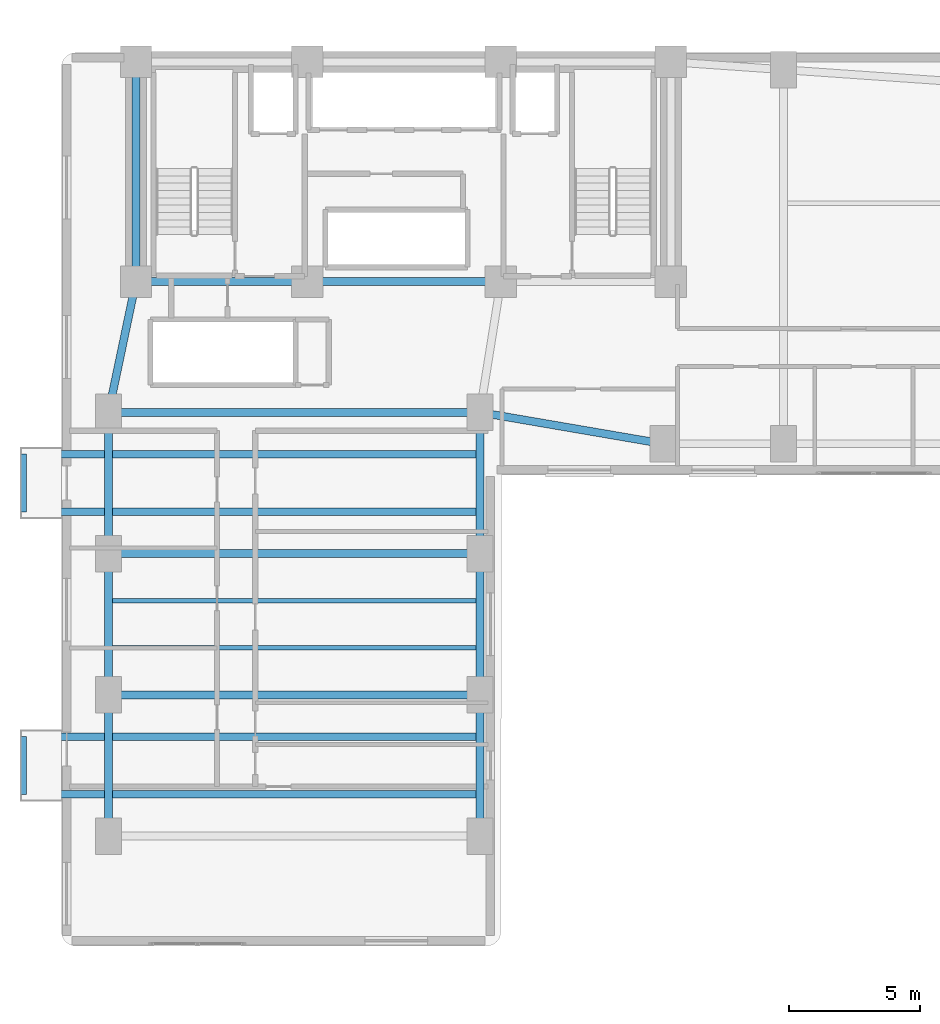
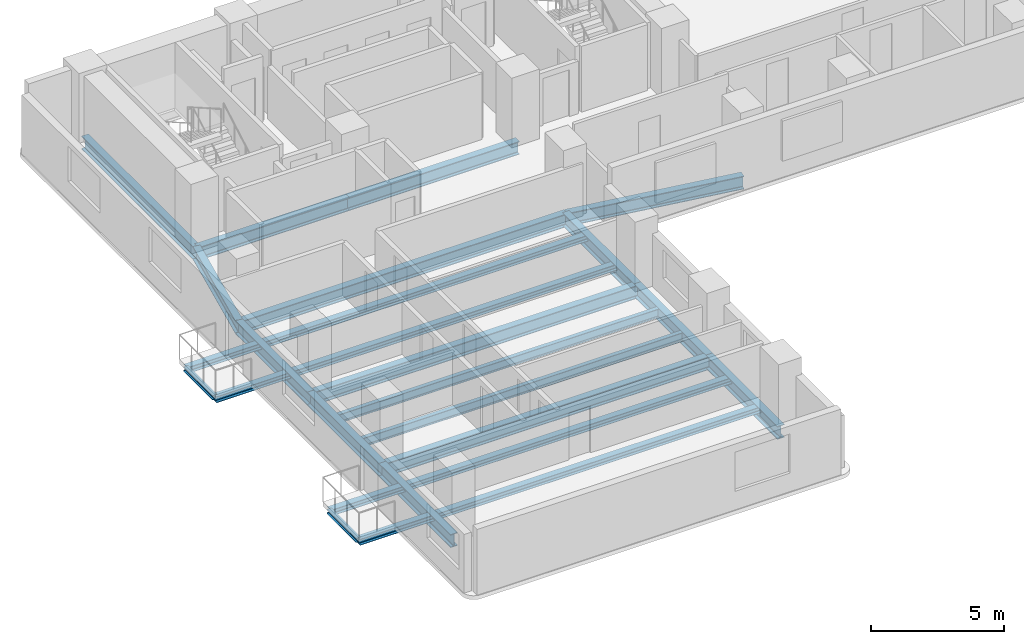
# One storey, part 3 of 17: 22 beams.
"""IFC4 building model written with IfcOpenShell, lengths in metres."""

from ifc_helpers import new_model, si_unit, direction, frame, origin, origin_2d, place, context, subcontext, project, spatial, i_section, extrude, material, material_profile, profile_set, type_object, element, save


model = new_model("IFC4")

# Units and contexts
model_context = context("Model", 3, precision=1e-05, world=origin(), true_north=direction((0.0, 1.0)))
body_context = subcontext(model_context, "Body", "Model", "MODEL_VIEW")
ifc_project = project(units=[si_unit("LENGTHUNIT", "METRE"), si_unit("AREAUNIT", "SQUARE_METRE"), si_unit("VOLUMEUNIT", "CUBIC_METRE"), si_unit("PLANEANGLEUNIT", "RADIAN"), si_unit("MASSUNIT", "GRAM", prefix="KILO")], contexts=[model_context])

# Site, building, storey
site_placement = place(None, origin())
site = spatial("IfcSite", under=ifc_project, at=site_placement, CompositionType="ELEMENT")
building_placement = place(site_placement, origin())
building = spatial("IfcBuilding", under=site, at=building_placement, Name="Kuzgunbayir Cultural Tower", CompositionType="ELEMENT")
storey_placement = place(building_placement, frame((0.0, 0.0, 50.0)))
storey = spatial("IfcBuildingStorey", under=building, at=storey_placement, Name="L13", CompositionType="ELEMENT", Elevation=50.0)

# Beams
ifc_material = material(Name="Steel S355J2", Category="steel")
ifc_material_profile_1 = material_profile(ifc_material, i_section(OverallWidth=0.280029296875, OverallDepth=0.280029296875, WebThickness=0.010498046875, FlangeThickness=0.01806640625, FilletRadius=0.02392578125, at=origin_2d()), Name="HEB 280")
ifc_profile_set_1 = profile_set([ifc_material_profile_1], Name="Steel S355J2")
beam_type_1 = type_object("IfcBeamType", Name="BM-BAL-HEB280", PredefinedType="BEAM", material=ifc_profile_set_1)
for number, where, z_axis, x_axis, name in (
    (1, (2.159912109375, 14.199951171875, -0.340087890625), (1.0, 0.0, 0.0), (0.0, 1.0, 0.0), "L13 Balcony Outrigger Beam BAL-L13-WA1.1"),
    (2, (2.159912109375, 16.39990234375, -0.340087890625), (1.0, 0.0, 0.0), (0.0, 1.0, 0.0), "L13 Balcony Outrigger Beam BAL-L13-WA1.2"),
    (3, (2.159912109375, 25.0, -0.340087890625), (1.0, 0.0, 0.0), (0.0, 1.0, 0.0), "L13 Balcony Outrigger Beam BAL-L13-WA3.1"),
    (4, (2.159912109375, 27.199951171875, -0.340087890625), (1.0, 0.0, 0.0), (0.0, 1.0, 0.0), "L13 Balcony Outrigger Beam BAL-L13-WA3.2"),
):
    element("IfcBeam", number, at=place(storey_placement, frame(where, z_axis=z_axis, x_axis=x_axis)), inside=storey, type_object=beam_type_1, Name=name, PredefinedType="BEAM", context=body_context, shape_type="SweptSolid", body=[
        extrude(i_section(OverallWidth=0.280029296875, OverallDepth=0.280029296875, WebThickness=0.010498046875, FlangeThickness=0.01806640625, FilletRadius=0.02392578125, at=origin_2d()), origin(), (0.0, 0.0, 1.0), 17.440185546875),
    ])
ifc_material_profile_2 = material_profile(ifc_material, i_section(OverallWidth=0.199951171875, OverallDepth=0.199951171875, WebThickness=0.009033203125, FlangeThickness=0.014892578125, FilletRadius=0.01806640625, at=origin_2d()), Name="HEB 200")
ifc_profile_set_2 = profile_set([ifc_material_profile_2], Name="Steel S355J2")
beam_type_2 = type_object("IfcBeamType", Name="BM-CAN-HEB200", PredefinedType="BEAM", material=ifc_profile_set_2)
for number, where, z_axis, x_axis, name in (
    (5, (2.159912109375, 14.199951171875, -0.300048828125), (0.0, 1.0, 0.0), (-1.0, 0.0, 0.0), "L13 Balcony Edge Header BAL-L13-WA1"),
    (6, (2.159912109375, 25.0, -0.300048828125), (0.0, 1.0, 0.0), (-1.0, 0.0, 0.0), "L13 Balcony Edge Header BAL-L13-WA3"),
):
    element("IfcBeam", number, at=place(storey_placement, frame(where, z_axis=z_axis, x_axis=x_axis)), inside=storey, type_object=beam_type_2, Name=name, PredefinedType="BEAM", context=body_context, shape_type="SweptSolid", body=[
        extrude(i_section(OverallWidth=0.199951171875, OverallDepth=0.199951171875, WebThickness=0.009033203125, FlangeThickness=0.014892578125, FilletRadius=0.01806640625, at=origin_2d()), origin(), (0.0, 0.0, 1.0), 2.199951171875),
    ])
ifc_material_profile_3 = material_profile(ifc_material, i_section(OverallWidth=0.300048828125, OverallDepth=0.60009765625, WebThickness=0.015380859375, FlangeThickness=0.030029296875, FilletRadius=0.027099609375, at=origin_2d()), Name="HEB 600")
ifc_profile_set_3 = profile_set([ifc_material_profile_3], Name="Steel S355J2")
beam_type_3 = type_object("IfcBeamType", Name="BM-EXT-HEB600", PredefinedType="BEAM", material=ifc_profile_set_3)
for number, where, z_axis, x_axis, name in (
    (7, (5.39990234375, 12.60009765625, -0.47998046875), (0.0, 1.0, 0.0), (-1.0, 0.0, 0.0), "L13 Wing A West Girder 1"),
    (8, (19.60009765625, 12.60009765625, -0.47998046875), (0.0, 1.0, 0.0), (-1.0, 0.0, 0.0), "L13 Wing A East Girder 1"),
    (9, (5.39990234375, 18.0, -0.47998046875), (0.0, 1.0, 0.0), (-1.0, 0.0, 0.0), "L13 Wing A West Girder 2"),
    (10, (19.60009765625, 18.0, -0.47998046875), (0.0, 1.0, 0.0), (-1.0, 0.0, 0.0), "L13 Wing A East Girder 2"),
):
    element("IfcBeam", number, at=place(storey_placement, frame(where, z_axis=z_axis, x_axis=x_axis)), inside=storey, type_object=beam_type_3, Name=name, PredefinedType="BEAM", context=body_context, shape_type="SweptSolid", body=[
        extrude(i_section(OverallWidth=0.300048828125, OverallDepth=0.60009765625, WebThickness=0.015380859375, FlangeThickness=0.030029296875, FilletRadius=0.027099609375, at=origin_2d()), origin(), (0.0, 0.0, 1.0), 5.39990234375),
    ])
for number, where, z_axis, x_axis, name in (
    (11, (5.39990234375, 23.39990234375, -0.47998046875), (0.0, 1.0, 0.0), (-1.0, 0.0, 0.0), "L13 Wing A West Girder 3"),
    (12, (19.60009765625, 23.39990234375, -0.47998046875), (0.0, 1.0, 0.0), (-1.0, 0.0, 0.0), "L13 Wing A East Girder 3"),
):
    element("IfcBeam", number, at=place(storey_placement, frame(where, z_axis=z_axis, x_axis=x_axis)), inside=storey, type_object=beam_type_3, Name=name, PredefinedType="BEAM", context=body_context, shape_type="SweptSolid", body=[
        extrude(i_section(OverallWidth=0.300048828125, OverallDepth=0.60009765625, WebThickness=0.015380859375, FlangeThickness=0.030029296875, FilletRadius=0.027099609375, at=origin_2d()), origin(), (0.0, 0.0, 1.0), 5.400146484375),
    ])
ifc_material_profile_4 = material_profile(ifc_material, i_section(OverallWidth=0.300048828125, OverallDepth=0.60009765625, WebThickness=0.015380859375, FlangeThickness=0.030029296875, FilletRadius=0.027099609375, at=origin_2d()), Name="HEB 600")
ifc_profile_set_4 = profile_set([ifc_material_profile_4], Name="Steel S355J2")
beam_type_4 = type_object("IfcBeamType", Name="BM-GIR-HEB600", PredefinedType="BEAM", material=ifc_profile_set_4)
beam_1_placement = place(storey_placement, frame((6.449951171875, 33.800048828125, -0.47998046875), z_axis=(1.0, 0.0, 0.0), x_axis=(0.0, 1.0, 0.0)))
element("IfcBeam", 13, at=beam_1_placement, inside=storey, type_object=beam_type_4, Name="L13 Core South Girder 1", PredefinedType="BEAM", context=body_context, shape_type="SweptSolid", body=[
    extrude(i_section(OverallWidth=0.300048828125, OverallDepth=0.60009765625, WebThickness=0.015380859375, FlangeThickness=0.030029296875, FilletRadius=0.027099609375, at=origin_2d()), origin(), (0.0, 0.0, 1.0), 6.550048828125),
])
beam_2_placement = place(storey_placement, frame((13.0, 33.800048828125, -0.47998046875), z_axis=(1.0, 0.0, 0.0), x_axis=(0.0, 1.0, 0.0)))
element("IfcBeam", 14, at=beam_2_placement, inside=storey, type_object=beam_type_4, Name="L13 Core South Girder 2", PredefinedType="BEAM", context=body_context, shape_type="SweptSolid", body=[
    extrude(i_section(OverallWidth=0.300048828125, OverallDepth=0.60009765625, WebThickness=0.015380859375, FlangeThickness=0.030029296875, FilletRadius=0.027099609375, at=origin_2d()), origin(), (0.0, 0.0, 1.0), 7.39990234375),
])
beam_3_placement = place(storey_placement, frame((6.449951171875, 33.800048828125, -0.47998046875), z_axis=(0.0, 1.0, 0.0), x_axis=(-1.0, 0.0, 0.0)))
element("IfcBeam", 15, at=beam_3_placement, inside=storey, type_object=beam_type_4, Name="L13 Core West Edge Girder", PredefinedType="BEAM", context=body_context, shape_type="SweptSolid", body=[
    extrude(i_section(OverallWidth=0.300048828125, OverallDepth=0.60009765625, WebThickness=0.015380859375, FlangeThickness=0.030029296875, FilletRadius=0.027099609375, at=origin_2d()), origin(), (0.0, 0.0, 1.0), 8.39990234375),
])
for number, where, z_axis, x_axis, name in (
    (16, (5.39990234375, 18.0, -0.47998046875), (1.0, 0.0, 0.0), (0.0, 1.0, 0.0), "L13 Wing A Transverse Girder 2"),
    (17, (5.39990234375, 23.39990234375, -0.47998046875), (1.0, 0.0, 0.0), (0.0, 1.0, 0.0), "L13 Wing A Transverse Girder 3"),
    (18, (5.39990234375, 28.800048828125, -0.47998046875), (1.0, 0.0, 0.0), (0.0, 1.0, 0.0), "L13 Wing A Transverse Girder 4"),
):
    element("IfcBeam", number, at=place(storey_placement, frame(where, z_axis=z_axis, x_axis=x_axis)), inside=storey, type_object=beam_type_4, Name=name, PredefinedType="BEAM", context=body_context, shape_type="SweptSolid", body=[
        extrude(i_section(OverallWidth=0.300048828125, OverallDepth=0.60009765625, WebThickness=0.015380859375, FlangeThickness=0.030029296875, FilletRadius=0.027099609375, at=origin_2d()), origin(), (0.0, 0.0, 1.0), 14.2001953125),
    ])
beam_4_placement = place(storey_placement, frame((5.39990234375, 28.800048828125, -0.47998046875), z_axis=(0.205526387753, 0.978651574329, 0.0), x_axis=(-0.978651574329, 0.205526387753, 0.0)))
element("IfcBeam", 19, at=beam_4_placement, inside=storey, type_object=beam_type_4, Name="L13 Wing A West Core Floor Girder", PredefinedType="BEAM", context=body_context, shape_type="SweptSolid", body=[
    extrude(i_section(OverallWidth=0.300048828125, OverallDepth=0.60009765625, WebThickness=0.015380859375, FlangeThickness=0.030029296875, FilletRadius=0.027099609375, at=origin_2d()), origin(), (0.0, 0.0, 1.0), 5.109130859375),
])
beam_5_placement = place(storey_placement, frame((19.60009765625, 28.800048828125, -0.47998046875), z_axis=(0.985623399742, -0.168957136221, 0.0), x_axis=(0.168957136221, 0.985623399742, 0.0)))
element("IfcBeam", 20, at=beam_5_placement, inside=storey, type_object=beam_type_4, Name="L13 Wing B Waist Tie Girder", PredefinedType="BEAM", context=body_context, shape_type="SweptSolid", body=[
    extrude(i_section(OverallWidth=0.300048828125, OverallDepth=0.60009765625, WebThickness=0.015380859375, FlangeThickness=0.030029296875, FilletRadius=0.027099609375, at=origin_2d()), origin(), (0.0, 0.0, 1.0), 7.10205078125),
])
ifc_material_profile_5 = material_profile(ifc_material, i_section(OverallWidth=0.179931640625, OverallDepth=0.39990234375, WebThickness=0.008544921875, FlangeThickness=0.013427734375, FilletRadius=0.02099609375, at=origin_2d()), Name="IPE 400")
ifc_profile_set_5 = profile_set([ifc_material_profile_5], Name="Steel S355J2")
beam_type_5 = type_object("IfcBeamType", Name="BM-JST-IPE400", PredefinedType="JOIST", material=ifc_profile_set_5)
for number, where, z_axis, x_axis, name in (
    (21, (5.550048828125, 19.800048828125, -0.3798828125), (1.0, 0.0, 0.0), (0.0, 1.0, 0.0), "L13 Wing A Secondary Joist 3"),
    (22, (5.550048828125, 21.60009765625, -0.3798828125), (1.0, 0.0, 0.0), (0.0, 1.0, 0.0), "L13 Wing A Secondary Joist 4"),
):
    element("IfcBeam", number, at=place(storey_placement, frame(where, z_axis=z_axis, x_axis=x_axis)), inside=storey, type_object=beam_type_5, Name=name, PredefinedType="JOIST", context=body_context, shape_type="SweptSolid", body=[
        extrude(i_section(OverallWidth=0.179931640625, OverallDepth=0.39990234375, WebThickness=0.008544921875, FlangeThickness=0.013427734375, FilletRadius=0.02099609375, at=origin_2d()), origin(), (0.0, 0.0, 1.0), 13.89990234375),
    ])

save(model, "model.ifc")
